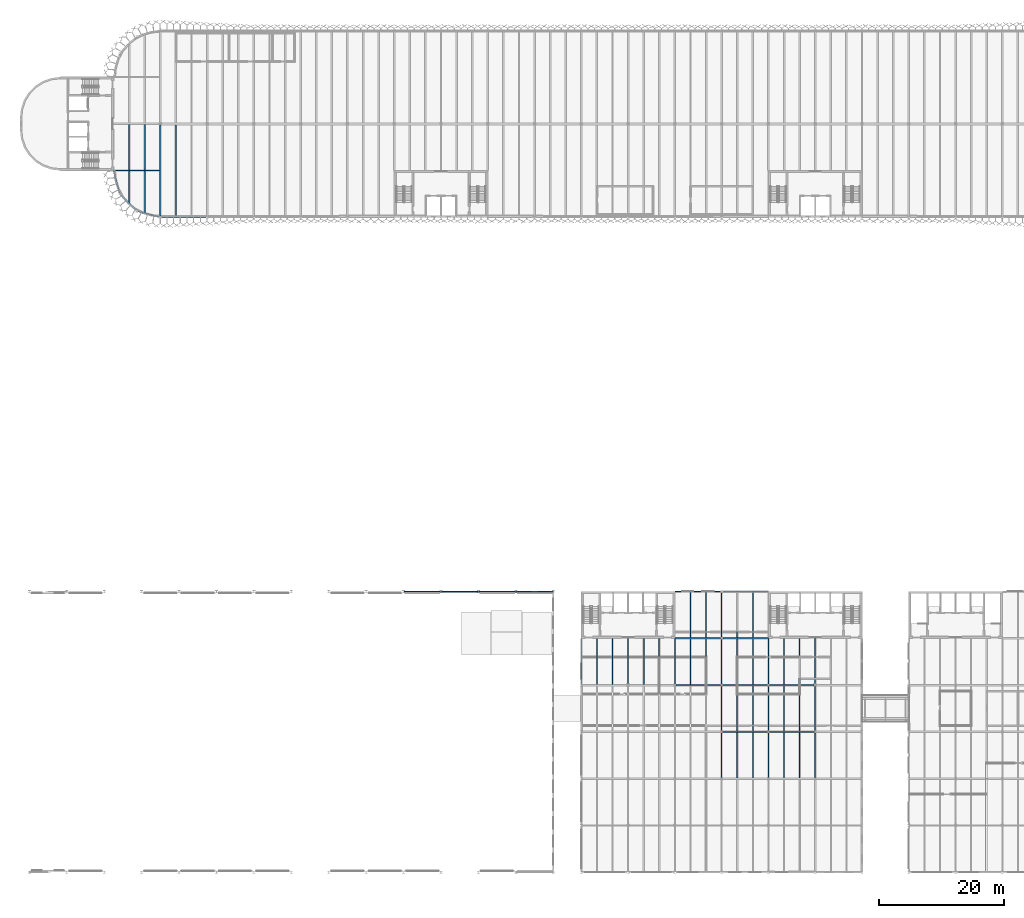
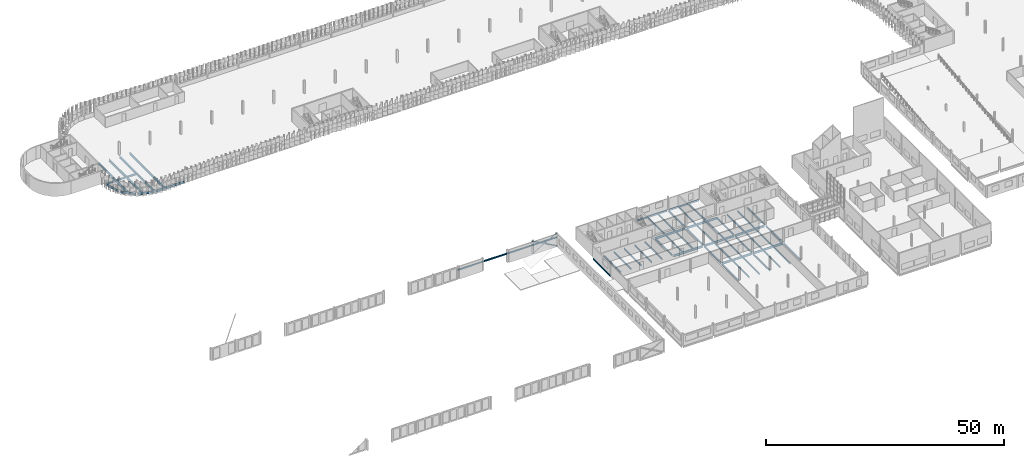
# One storey, part 30 of 198: 59 beams, 3 members.
"""IFC4 building model written with IfcOpenShell, lengths in metres."""

from ifc_helpers import new_model, si_unit, direction, frame, origin, origin_2d, place, context, subcontext, project, spatial, hollow_circle, i_section, extrude, material, material_profile, profile_set, type_object, element, save


model = new_model("IFC4")

# Units and contexts
model_context = context("Model", 3, precision=1e-05, world=origin(), true_north=direction((0.0, 1.0)))
body_context = subcontext(model_context, "Body", "Model", "MODEL_VIEW")
ifc_project = project(units=[si_unit("LENGTHUNIT", "METRE"), si_unit("AREAUNIT", "SQUARE_METRE"), si_unit("VOLUMEUNIT", "CUBIC_METRE"), si_unit("PLANEANGLEUNIT", "RADIAN"), si_unit("MASSUNIT", "GRAM", prefix="KILO")], contexts=[model_context])

# Site, building, storey
site_placement = place(None, origin())
site = spatial("IfcSite", under=ifc_project, at=site_placement, CompositionType="ELEMENT")
building_placement = place(site_placement, origin())
building = spatial("IfcBuilding", under=site, at=building_placement, Name="Parallax Yard Mobility Hub", CompositionType="ELEMENT")
storey_placement = place(building_placement, frame((0.0, 0.0, 6.60009765625)))
storey = spatial("IfcBuildingStorey", under=building, at=storey_placement, Name="L02", CompositionType="ELEMENT", Elevation=6.60009765625)

# Beams
ifc_material_1 = material(Name="Steel ASTM A992", Category="steel")
ifc_material_profile_1 = material_profile(ifc_material_1, i_section(OverallWidth=0.14794921875, OverallDepth=0.26611328125, WebThickness=0.007568359375, FlangeThickness=0.012939453125, at=origin_2d()), Name="W250x45")
ifc_profile_set_1 = profile_set([ifc_material_profile_1], Name="Steel ASTM A992")
beam_type_1 = type_object("IfcBeamType", Name="Lintel girder W250x45", PredefinedType="BEAM", material=ifc_profile_set_1)
for number, where, z_axis, x_axis, name in (
    (1, (69.0, 52.5, 2.23291015625), (1.0, 0.0, 0.0), (0.0, 1.0, 0.0), "Lintel girder north mezzanine edge bay 1"),
    (2, (75.0, 52.5, 2.23291015625), (1.0, 0.0, 0.0), (0.0, 1.0, 0.0), "Lintel girder north mezzanine edge bay 2"),
    (3, (81.0, 52.5, 2.23291015625), (1.0, 0.0, 0.0), (0.0, 1.0, 0.0), "Lintel girder north mezzanine edge bay 3"),
    (4, (87.0, 52.5, 2.23291015625), (1.0, 0.0, 0.0), (0.0, 1.0, 0.0), "Lintel girder north mezzanine edge bay 4"),
):
    element("IfcBeam", number, at=place(storey_placement, frame(where, z_axis=z_axis, x_axis=x_axis)), inside=storey, type_object=beam_type_1, Name=name, PredefinedType="BEAM", context=body_context, shape_type="SweptSolid", body=[
        extrude(i_section(OverallWidth=0.14794921875, OverallDepth=0.26611328125, WebThickness=0.007568359375, FlangeThickness=0.012939453125, at=origin_2d()), origin(), (0.0, 0.0, 1.0), 6.0),
    ])
ifc_material_profile_2 = material_profile(ifc_material_1, i_section(OverallWidth=0.177978515625, OverallDepth=0.406005859375, WebThickness=0.0078125, FlangeThickness=0.0126953125, FilletRadius=0.01025390625, at=origin_2d()), Name="W410x60")
ifc_profile_set_2 = profile_set([ifc_material_profile_2], Name="Steel ASTM A992")
beam_type_2 = type_object("IfcBeamType", Name="W410x60 secondary beam", PredefinedType="JOIST", material=ifc_profile_set_2)
for number, where, z_axis, x_axis, name in (
    (5, (100.0, 37.6044921875, -0.343017578125), (0.0, 1.0, 0.0), (-1.0, 0.0, 0.0), "Secondary beam B1 level L02, 2.5 m east of line 14 of mobility service centre and workshops, span 5"),
    (6, (107.5, 37.6044921875, -0.343017578125), (0.0, 1.0, 0.0), (-1.0, 0.0, 0.0), "Secondary beam B1 level L02, 2.5 m east of line 15 of mobility service centre and workshops, span 5"),
):
    element("IfcBeam", number, at=place(storey_placement, frame(where, z_axis=z_axis, x_axis=x_axis)), inside=storey, type_object=beam_type_2, Name=name, PredefinedType="JOIST", context=body_context, shape_type="SweptSolid", body=[
        extrude(i_section(OverallWidth=0.177978515625, OverallDepth=0.406005859375, WebThickness=0.0078125, FlangeThickness=0.0126953125, FilletRadius=0.01025390625, at=origin_2d()), origin(), (0.0, 0.0, 1.0), 7.3955078125),
    ])
beam_1_placement = place(storey_placement, frame((115.0, 37.6044921875, -0.343017578125), z_axis=(0.0, 1.0, 0.0), x_axis=(-1.0, 0.0, 0.0)))
element("IfcBeam", 7, at=beam_1_placement, inside=storey, type_object=beam_type_2, Name="Secondary beam B1 level L02, 2.5 m east of line 16 of mobility service centre and workshops, span 5", PredefinedType="JOIST", context=body_context, shape_type="SweptSolid", body=[
    extrude(i_section(OverallWidth=0.177978515625, OverallDepth=0.406005859375, WebThickness=0.0078125, FlangeThickness=0.0126953125, FilletRadius=0.01025390625, at=origin_2d()), origin(), (0.0, 0.0, 1.0), 7.291015625),
])
beam_2_placement = place(storey_placement, frame((115.0, 45.1044921875, -0.343017578125), z_axis=(0.0, 1.0, 0.0), x_axis=(-1.0, 0.0, 0.0)))
element("IfcBeam", 8, at=beam_2_placement, inside=storey, type_object=beam_type_2, Name="Secondary beam B1 level L02, 2.5 m east of line 16 of mobility service centre and workshops, span 6", PredefinedType="JOIST", context=body_context, shape_type="SweptSolid", body=[
    extrude(i_section(OverallWidth=0.177978515625, OverallDepth=0.406005859375, WebThickness=0.0078125, FlangeThickness=0.0126953125, FilletRadius=0.01025390625, at=origin_2d()), origin(), (0.0, 0.0, 1.0), 7.305908203125),
])
for number, where, z_axis, x_axis, name in (
    (9, (122.5, 22.6044921875, -0.343017578125), (0.0, 1.0, 0.0), (-1.0, 0.0, 0.0), "Secondary beam B1 level L02, 2.5 m east of line 17 of mobility service centre and workshops, span 3"),
    (10, (122.5, 30.1044921875, -0.343017578125), (0.0, 1.0, 0.0), (-1.0, 0.0, 0.0), "Secondary beam B1 level L02, 2.5 m east of line 17 of mobility service centre and workshops, span 4"),
    (11, (122.5, 37.6044921875, -0.343017578125), (0.0, 1.0, 0.0), (-1.0, 0.0, 0.0), "Secondary beam B1 level L02, 2.5 m east of line 17 of mobility service centre and workshops, span 5"),
):
    element("IfcBeam", number, at=place(storey_placement, frame(where, z_axis=z_axis, x_axis=x_axis)), inside=storey, type_object=beam_type_2, Name=name, PredefinedType="JOIST", context=body_context, shape_type="SweptSolid", body=[
        extrude(i_section(OverallWidth=0.177978515625, OverallDepth=0.406005859375, WebThickness=0.0078125, FlangeThickness=0.0126953125, FilletRadius=0.01025390625, at=origin_2d()), origin(), (0.0, 0.0, 1.0), 7.291015625),
    ])
beam_3_placement = place(storey_placement, frame((122.5, 45.1044921875, -0.343017578125), z_axis=(0.0, 1.0, 0.0), x_axis=(-1.0, 0.0, 0.0)))
element("IfcBeam", 12, at=beam_3_placement, inside=storey, type_object=beam_type_2, Name="Secondary beam B1 level L02, 2.5 m east of line 17 of mobility service centre and workshops, span 6", PredefinedType="JOIST", context=body_context, shape_type="SweptSolid", body=[
    extrude(i_section(OverallWidth=0.177978515625, OverallDepth=0.406005859375, WebThickness=0.0078125, FlangeThickness=0.0126953125, FilletRadius=0.01025390625, at=origin_2d()), origin(), (0.0, 0.0, 1.0), 7.305908203125),
])
for number, where, z_axis, x_axis, name in (
    (13, (130.0, 22.6044921875, -0.343017578125), (0.0, 1.0, 0.0), (-1.0, 0.0, 0.0), "Secondary beam B1 level L02, 2.5 m east of line 18 of mobility service centre and workshops, span 3"),
    (14, (130.0, 30.1044921875, -0.343017578125), (0.0, 1.0, 0.0), (-1.0, 0.0, 0.0), "Secondary beam B1 level L02, 2.5 m east of line 18 of mobility service centre and workshops, span 4"),
):
    element("IfcBeam", number, at=place(storey_placement, frame(where, z_axis=z_axis, x_axis=x_axis)), inside=storey, type_object=beam_type_2, Name=name, PredefinedType="JOIST", context=body_context, shape_type="SweptSolid", body=[
        extrude(i_section(OverallWidth=0.177978515625, OverallDepth=0.406005859375, WebThickness=0.0078125, FlangeThickness=0.0126953125, FilletRadius=0.01025390625, at=origin_2d()), origin(), (0.0, 0.0, 1.0), 7.291015625),
    ])
for number, where, z_axis, x_axis, name in (
    (15, (130.0, 37.6044921875, -0.343017578125), (0.0, 1.0, 0.0), (-1.0, 0.0, 0.0), "Secondary beam B1 level L02, 2.5 m east of line 18 of mobility service centre and workshops, span 5"),
    (16, (102.5, 37.6044921875, -0.343017578125), (0.0, 1.0, 0.0), (-1.0, 0.0, 0.0), "Secondary beam B1 level L02, 5 m east of line 14 of mobility service centre and workshops, span 5"),
    (17, (110.0, 37.6044921875, -0.343017578125), (0.0, 1.0, 0.0), (-1.0, 0.0, 0.0), "Secondary beam B1 level L02, 5 m east of line 15 of mobility service centre and workshops, span 5"),
):
    element("IfcBeam", number, at=place(storey_placement, frame(where, z_axis=z_axis, x_axis=x_axis)), inside=storey, type_object=beam_type_2, Name=name, PredefinedType="JOIST", context=body_context, shape_type="SweptSolid", body=[
        extrude(i_section(OverallWidth=0.177978515625, OverallDepth=0.406005859375, WebThickness=0.0078125, FlangeThickness=0.0126953125, FilletRadius=0.01025390625, at=origin_2d()), origin(), (0.0, 0.0, 1.0), 7.3955078125),
    ])
beam_4_placement = place(storey_placement, frame((117.5, 37.6044921875, -0.343017578125), z_axis=(0.0, 1.0, 0.0), x_axis=(-1.0, 0.0, 0.0)))
element("IfcBeam", 18, at=beam_4_placement, inside=storey, type_object=beam_type_2, Name="Secondary beam B1 level L02, 5 m east of line 16 of mobility service centre and workshops, span 5", PredefinedType="JOIST", context=body_context, shape_type="SweptSolid", body=[
    extrude(i_section(OverallWidth=0.177978515625, OverallDepth=0.406005859375, WebThickness=0.0078125, FlangeThickness=0.0126953125, FilletRadius=0.01025390625, at=origin_2d()), origin(), (0.0, 0.0, 1.0), 7.291015625),
])
beam_5_placement = place(storey_placement, frame((117.5, 45.1044921875, -0.343017578125), z_axis=(0.0, 1.0, 0.0), x_axis=(-1.0, 0.0, 0.0)))
element("IfcBeam", 19, at=beam_5_placement, inside=storey, type_object=beam_type_2, Name="Secondary beam B1 level L02, 5 m east of line 16 of mobility service centre and workshops, span 6", PredefinedType="JOIST", context=body_context, shape_type="SweptSolid", body=[
    extrude(i_section(OverallWidth=0.177978515625, OverallDepth=0.406005859375, WebThickness=0.0078125, FlangeThickness=0.0126953125, FilletRadius=0.01025390625, at=origin_2d()), origin(), (0.0, 0.0, 1.0), 7.305908203125),
])
for number, where, z_axis, x_axis, name in (
    (20, (125.0, 22.6044921875, -0.343017578125), (0.0, 1.0, 0.0), (-1.0, 0.0, 0.0), "Secondary beam B1 level L02, 5 m east of line 17 of mobility service centre and workshops, span 3"),
    (21, (125.0, 30.1044921875, -0.343017578125), (0.0, 1.0, 0.0), (-1.0, 0.0, 0.0), "Secondary beam B1 level L02, 5 m east of line 17 of mobility service centre and workshops, span 4"),
    (22, (125.0, 37.6044921875, -0.343017578125), (0.0, 1.0, 0.0), (-1.0, 0.0, 0.0), "Secondary beam B1 level L02, 5 m east of line 17 of mobility service centre and workshops, span 5"),
):
    element("IfcBeam", number, at=place(storey_placement, frame(where, z_axis=z_axis, x_axis=x_axis)), inside=storey, type_object=beam_type_2, Name=name, PredefinedType="JOIST", context=body_context, shape_type="SweptSolid", body=[
        extrude(i_section(OverallWidth=0.177978515625, OverallDepth=0.406005859375, WebThickness=0.0078125, FlangeThickness=0.0126953125, FilletRadius=0.01025390625, at=origin_2d()), origin(), (0.0, 0.0, 1.0), 7.291015625),
    ])
beam_6_placement = place(storey_placement, frame((125.0, 45.1044921875, -0.343017578125), z_axis=(0.0, 1.0, 0.0), x_axis=(-1.0, 0.0, 0.0)))
element("IfcBeam", 23, at=beam_6_placement, inside=storey, type_object=beam_type_2, Name="Secondary beam B1 level L02, 5 m east of line 17 of mobility service centre and workshops, span 6", PredefinedType="JOIST", context=body_context, shape_type="SweptSolid", body=[
    extrude(i_section(OverallWidth=0.177978515625, OverallDepth=0.406005859375, WebThickness=0.0078125, FlangeThickness=0.0126953125, FilletRadius=0.01025390625, at=origin_2d()), origin(), (0.0, 0.0, 1.0), 7.305908203125),
])
for number, where, z_axis, x_axis, name in (
    (24, (132.5, 22.6044921875, -0.343017578125), (0.0, 1.0, 0.0), (-1.0, 0.0, 0.0), "Secondary beam B1 level L02, 5 m east of line 18 of mobility service centre and workshops, span 3"),
    (25, (132.5, 30.1044921875, -0.343017578125), (0.0, 1.0, 0.0), (-1.0, 0.0, 0.0), "Secondary beam B1 level L02, 5 m east of line 18 of mobility service centre and workshops, span 4"),
):
    element("IfcBeam", number, at=place(storey_placement, frame(where, z_axis=z_axis, x_axis=x_axis)), inside=storey, type_object=beam_type_2, Name=name, PredefinedType="JOIST", context=body_context, shape_type="SweptSolid", body=[
        extrude(i_section(OverallWidth=0.177978515625, OverallDepth=0.406005859375, WebThickness=0.0078125, FlangeThickness=0.0126953125, FilletRadius=0.01025390625, at=origin_2d()), origin(), (0.0, 0.0, 1.0), 7.291015625),
    ])
beam_7_placement = place(storey_placement, frame((132.5, 37.6044921875, -0.343017578125), z_axis=(0.0, 1.0, 0.0), x_axis=(-1.0, 0.0, 0.0)))
element("IfcBeam", 26, at=beam_7_placement, inside=storey, type_object=beam_type_2, Name="Secondary beam B1 level L02, 5 m east of line 18 of mobility service centre and workshops, span 5", PredefinedType="JOIST", context=body_context, shape_type="SweptSolid", body=[
    extrude(i_section(OverallWidth=0.177978515625, OverallDepth=0.406005859375, WebThickness=0.0078125, FlangeThickness=0.0126953125, FilletRadius=0.01025390625, at=origin_2d()), origin(), (0.0, 0.0, 1.0), 7.3955078125),
])
ifc_material_profile_3 = material_profile(ifc_material_1, i_section(OverallWidth=0.178955078125, OverallDepth=0.408935546875, WebThickness=0.0087890625, FlangeThickness=0.014404296875, FilletRadius=0.01025390625, at=origin_2d()), Name="W410x67")
ifc_profile_set_3 = profile_set([ifc_material_profile_3], Name="Steel ASTM A992")
beam_type_3 = type_object("IfcBeamType", Name="W410x67 edge beam", PredefinedType="SPANDREL", material=ifc_profile_set_3)
beam_8_placement = place(storey_placement, frame((97.5, 37.658935546875, -0.344482421875), z_axis=(0.0, 1.0, 0.0), x_axis=(-1.0, 0.0, 0.0)))
element("IfcBeam", 27, at=beam_8_placement, inside=storey, type_object=beam_type_3, Name="Edge beam SB3 level L02, line 14 of mobility service centre and workshops, span 5", PredefinedType="SPANDREL", context=body_context, shape_type="SweptSolid", body=[
    extrude(i_section(OverallWidth=0.178955078125, OverallDepth=0.408935546875, WebThickness=0.0087890625, FlangeThickness=0.014404296875, FilletRadius=0.01025390625, at=origin_2d()), origin(), (0.0, 0.0, 1.0), 7.341064453125),
])
for number, where, z_axis, x_axis, name in (
    (28, (112.5, 52.5, -0.344482421875), (1.0, 0.0, 0.0), (0.0, 1.0, 0.0), "Edge beam SB3 level L02, line H of mobility service centre and workshops, span 1"),
    (29, (120.1865234375, 52.5, -0.344482421875), (1.0, 0.0, 0.0), (0.0, 1.0, 0.0), "Edge beam SB3 level L02, line H of mobility service centre and workshops, span 2"),
):
    element("IfcBeam", number, at=place(storey_placement, frame(where, z_axis=z_axis, x_axis=x_axis)), inside=storey, type_object=beam_type_3, Name=name, PredefinedType="SPANDREL", context=body_context, shape_type="SweptSolid", body=[
        extrude(i_section(OverallWidth=0.178955078125, OverallDepth=0.408935546875, WebThickness=0.0087890625, FlangeThickness=0.014404296875, FilletRadius=0.01025390625, at=origin_2d()), origin(), (0.0, 0.0, 1.0), 7.3134765625),
    ])
ifc_material_profile_4 = material_profile(ifc_material_1, i_section(OverallWidth=0.178955078125, OverallDepth=0.408935546875, WebThickness=0.0087890625, FlangeThickness=0.014404296875, FilletRadius=0.01025390625, at=origin_2d()), Name="W410x67")
ifc_profile_set_4 = profile_set([ifc_material_profile_4], Name="Steel ASTM A992")
beam_type_4 = type_object("IfcBeamType", Name="W410x67 girder", PredefinedType="BEAM", material=ifc_profile_set_4)
beam_9_placement = place(storey_placement, frame((105.0, 37.6904296875, -0.344482421875), z_axis=(0.0, 1.0, 0.0), x_axis=(-1.0, 0.0, 0.0)))
element("IfcBeam", 30, at=beam_9_placement, inside=storey, type_object=beam_type_4, Name="Girder G1 level L02, line 15 of mobility service centre and workshops, span 5", PredefinedType="BEAM", context=body_context, shape_type="SweptSolid", body=[
    extrude(i_section(OverallWidth=0.178955078125, OverallDepth=0.408935546875, WebThickness=0.0087890625, FlangeThickness=0.014404296875, FilletRadius=0.01025390625, at=origin_2d()), origin(), (0.0, 0.0, 1.0), 7.3095703125),
])
beam_10_placement = place(storey_placement, frame((112.5, 37.6640625, -0.344482421875), z_axis=(0.0, 1.0, 0.0), x_axis=(-1.0, 0.0, 0.0)))
element("IfcBeam", 31, at=beam_10_placement, inside=storey, type_object=beam_type_4, Name="Girder G1 level L02, line 16 of mobility service centre and workshops, span 5", PredefinedType="BEAM", context=body_context, shape_type="SweptSolid", body=[
    extrude(i_section(OverallWidth=0.178955078125, OverallDepth=0.408935546875, WebThickness=0.0087890625, FlangeThickness=0.014404296875, FilletRadius=0.01025390625, at=origin_2d()), origin(), (0.0, 0.0, 1.0), 7.3359375),
])
for number, where, z_axis, x_axis, name in (
    (32, (120.0, 22.656005859375, -0.344482421875), (0.0, 1.0, 0.0), (-1.0, 0.0, 0.0), "Girder G1 level L02, line 17 of mobility service centre and workshops, span 3"),
    (33, (120.0, 30.156005859375, -0.344482421875), (0.0, 1.0, 0.0), (-1.0, 0.0, 0.0), "Girder G1 level L02, line 17 of mobility service centre and workshops, span 4"),
):
    element("IfcBeam", number, at=place(storey_placement, frame(where, z_axis=z_axis, x_axis=x_axis)), inside=storey, type_object=beam_type_4, Name=name, PredefinedType="BEAM", context=body_context, shape_type="SweptSolid", body=[
        extrude(i_section(OverallWidth=0.178955078125, OverallDepth=0.408935546875, WebThickness=0.0087890625, FlangeThickness=0.014404296875, FilletRadius=0.01025390625, at=origin_2d()), origin(), (0.0, 0.0, 1.0), 7.18798828125),
    ])
beam_11_placement = place(storey_placement, frame((120.0, 37.656005859375, -0.344482421875), z_axis=(0.0, 1.0, 0.0), x_axis=(-1.0, 0.0, 0.0)))
element("IfcBeam", 34, at=beam_11_placement, inside=storey, type_object=beam_type_4, Name="Girder G1 level L02, line 17 of mobility service centre and workshops, span 5", PredefinedType="BEAM", context=body_context, shape_type="SweptSolid", body=[
    extrude(i_section(OverallWidth=0.178955078125, OverallDepth=0.408935546875, WebThickness=0.0087890625, FlangeThickness=0.014404296875, FilletRadius=0.01025390625, at=origin_2d()), origin(), (0.0, 0.0, 1.0), 7.156005859375),
])
beam_12_placement = place(storey_placement, frame((120.0, 45.18798828125, -0.344482421875), z_axis=(0.0, 1.0, 0.0), x_axis=(-1.0, 0.0, 0.0)))
element("IfcBeam", 35, at=beam_12_placement, inside=storey, type_object=beam_type_4, Name="Girder G1 level L02, line 17 of mobility service centre and workshops, span 6", PredefinedType="BEAM", context=body_context, shape_type="SweptSolid", body=[
    extrude(i_section(OverallWidth=0.178955078125, OverallDepth=0.408935546875, WebThickness=0.0087890625, FlangeThickness=0.014404296875, FilletRadius=0.01025390625, at=origin_2d()), origin(), (0.0, 0.0, 1.0), 7.1279296875),
])
beam_13_placement = place(storey_placement, frame((127.5, 22.656005859375, -0.344482421875), z_axis=(0.0, 1.0, 0.0), x_axis=(-1.0, 0.0, 0.0)))
element("IfcBeam", 36, at=beam_13_placement, inside=storey, type_object=beam_type_4, Name="Girder G1 level L02, line 18 of mobility service centre and workshops, span 3", PredefinedType="BEAM", context=body_context, shape_type="SweptSolid", body=[
    extrude(i_section(OverallWidth=0.178955078125, OverallDepth=0.408935546875, WebThickness=0.0087890625, FlangeThickness=0.014404296875, FilletRadius=0.01025390625, at=origin_2d()), origin(), (0.0, 0.0, 1.0), 7.18798828125),
])
beam_14_placement = place(storey_placement, frame((127.5, 30.156005859375, -0.344482421875), z_axis=(0.0, 1.0, 0.0), x_axis=(-1.0, 0.0, 0.0)))
element("IfcBeam", 37, at=beam_14_placement, inside=storey, type_object=beam_type_4, Name="Girder G1 level L02, line 18 of mobility service centre and workshops, span 4", PredefinedType="BEAM", context=body_context, shape_type="SweptSolid", body=[
    extrude(i_section(OverallWidth=0.178955078125, OverallDepth=0.408935546875, WebThickness=0.0087890625, FlangeThickness=0.014404296875, FilletRadius=0.01025390625, at=origin_2d()), origin(), (0.0, 0.0, 1.0), 7.179931640625),
])
beam_15_placement = place(storey_placement, frame((127.5, 37.6640625, -0.344482421875), z_axis=(0.0, 1.0, 0.0), x_axis=(-1.0, 0.0, 0.0)))
element("IfcBeam", 38, at=beam_15_placement, inside=storey, type_object=beam_type_4, Name="Girder G1 level L02, line 18 of mobility service centre and workshops, span 5", PredefinedType="BEAM", context=body_context, shape_type="SweptSolid", body=[
    extrude(i_section(OverallWidth=0.178955078125, OverallDepth=0.408935546875, WebThickness=0.0087890625, FlangeThickness=0.014404296875, FilletRadius=0.01025390625, at=origin_2d()), origin(), (0.0, 0.0, 1.0), 7.3359375),
])
beam_16_placement = place(storey_placement, frame((135.0, 22.656005859375, -0.344482421875), z_axis=(0.0, 1.0, 0.0), x_axis=(-1.0, 0.0, 0.0)))
element("IfcBeam", 39, at=beam_16_placement, inside=storey, type_object=beam_type_4, Name="Girder G1 level L02, line 19 of mobility service centre and workshops, span 3", PredefinedType="BEAM", context=body_context, shape_type="SweptSolid", body=[
    extrude(i_section(OverallWidth=0.178955078125, OverallDepth=0.408935546875, WebThickness=0.0087890625, FlangeThickness=0.014404296875, FilletRadius=0.01025390625, at=origin_2d()), origin(), (0.0, 0.0, 1.0), 7.18798828125),
])
beam_17_placement = place(storey_placement, frame((135.0, 30.156005859375, -0.344482421875), z_axis=(0.0, 1.0, 0.0), x_axis=(-1.0, 0.0, 0.0)))
element("IfcBeam", 40, at=beam_17_placement, inside=storey, type_object=beam_type_4, Name="Girder G1 level L02, line 19 of mobility service centre and workshops, span 4", PredefinedType="BEAM", context=body_context, shape_type="SweptSolid", body=[
    extrude(i_section(OverallWidth=0.178955078125, OverallDepth=0.408935546875, WebThickness=0.0087890625, FlangeThickness=0.014404296875, FilletRadius=0.01025390625, at=origin_2d()), origin(), (0.0, 0.0, 1.0), 7.153564453125),
])
beam_18_placement = place(storey_placement, frame((135.0, 37.6904296875, -0.344482421875), z_axis=(0.0, 1.0, 0.0), x_axis=(-1.0, 0.0, 0.0)))
element("IfcBeam", 41, at=beam_18_placement, inside=storey, type_object=beam_type_4, Name="Girder G1 level L02, line 19 of mobility service centre and workshops, span 5", PredefinedType="BEAM", context=body_context, shape_type="SweptSolid", body=[
    extrude(i_section(OverallWidth=0.178955078125, OverallDepth=0.408935546875, WebThickness=0.0087890625, FlangeThickness=0.014404296875, FilletRadius=0.01025390625, at=origin_2d()), origin(), (0.0, 0.0, 1.0), 7.3095703125),
])
ifc_material_profile_5 = material_profile(ifc_material_1, i_section(OverallWidth=0.19091796875, OverallDepth=0.45703125, WebThickness=0.009033203125, FlangeThickness=0.014404296875, FilletRadius=0.01025390625, at=origin_2d()), Name="W460x74")
ifc_profile_set_5 = profile_set([ifc_material_profile_5], Name="Steel ASTM A992")
beam_type_5 = type_object("IfcBeamType", Name="W460x74 longitudinal beam", PredefinedType="BEAM", material=ifc_profile_set_5)
beam_19_placement = place(storey_placement, frame((22.608154296875, 120.0, -0.36865234375), z_axis=(1.0, 0.0, 0.0), x_axis=(0.0, 1.0, 0.0)))
element("IfcBeam", 42, at=beam_19_placement, inside=storey, type_object=beam_type_5, Name="Longitudinal beam SB4 level L02, line S of ramped parking decks, span 1", PredefinedType="BEAM", context=body_context, shape_type="SweptSolid", body=[
    extrude(i_section(OverallWidth=0.19091796875, OverallDepth=0.45703125, WebThickness=0.009033203125, FlangeThickness=0.014404296875, FilletRadius=0.01025390625, at=origin_2d()), origin(), (0.0, 0.0, 1.0), 7.27734375),
])
ifc_material_profile_6 = material_profile(ifc_material_1, i_section(OverallWidth=0.208984375, OverallDepth=0.532958984375, WebThickness=0.01025390625, FlangeThickness=0.015625, FilletRadius=0.0126953125, at=origin_2d()), Name="W530x92")
ifc_profile_set_6 = profile_set([ifc_material_profile_6], Name="Steel ASTM A992")
beam_type_6 = type_object("IfcBeamType", Name="W530x92 edge beam", PredefinedType="SPANDREL", material=ifc_profile_set_6)
beam_20_placement = place(storey_placement, frame((30.18408203125, 112.5, -0.406494140625), z_axis=(1.0, 0.0, 0.0), x_axis=(0.0, 1.0, 0.0)))
element("IfcBeam", 43, at=beam_20_placement, inside=storey, type_object=beam_type_6, Name="Edge beam SB5 level L02, line R of ramped parking decks, span 1", PredefinedType="SPANDREL", context=body_context, shape_type="SweptSolid", body=[
    extrude(i_section(OverallWidth=0.208984375, OverallDepth=0.532958984375, WebThickness=0.01025390625, FlangeThickness=0.015625, FilletRadius=0.0126953125, at=origin_2d()), origin(), (0.0, 0.0, 1.0), 7.163330078125),
])
beam_21_placement = place(storey_placement, frame((22.5, 120.0, -0.406494140625), z_axis=(0.2588092838, -0.965928441769, 0.0), x_axis=(0.965928441769, 0.2588092838, 0.0)))
element("IfcBeam", 44, at=beam_21_placement, inside=storey, type_object=beam_type_6, Name="Edge beam SB5 level L02, the west end of ramped parking decks, span 1", PredefinedType="SPANDREL", context=body_context, shape_type="SweptSolid", body=[
    extrude(i_section(OverallWidth=0.208984375, OverallDepth=0.532958984375, WebThickness=0.01025390625, FlangeThickness=0.015625, FilletRadius=0.0126953125, at=origin_2d()), origin(), (0.0, 0.0, 1.0), 3.723388671875),
])
beam_22_placement = place(storey_placement, frame((23.6572265625, 116.097412109375, -0.406494140625), z_axis=(0.707106781187, -0.707106781187, 0.0), x_axis=(0.707106781187, 0.707106781187, 0.0)))
element("IfcBeam", 45, at=beam_22_placement, inside=storey, type_object=beam_type_6, Name="Edge beam SB5 level L02, the west end of ramped parking decks, span 3", PredefinedType="SPANDREL", context=body_context, shape_type="SweptSolid", body=[
    extrude(i_section(OverallWidth=0.208984375, OverallDepth=0.532958984375, WebThickness=0.01025390625, FlangeThickness=0.015625, FilletRadius=0.0126953125, at=origin_2d()), origin(), (0.0, 0.0, 1.0), 3.450927734375),
])
beam_23_placement = place(storey_placement, frame((26.402587890625, 113.4638671875, -0.406494140625), z_axis=(0.965929240213, -0.258806303829, 0.0), x_axis=(0.258806303829, 0.965929240213, 0.0)))
element("IfcBeam", 46, at=beam_23_placement, inside=storey, type_object=beam_type_6, Name="Edge beam SB5 level L02, the west end of ramped parking decks, span 5", PredefinedType="SPANDREL", context=body_context, shape_type="SweptSolid", body=[
    extrude(i_section(OverallWidth=0.208984375, OverallDepth=0.532958984375, WebThickness=0.01025390625, FlangeThickness=0.015625, FilletRadius=0.0126953125, at=origin_2d()), origin(), (0.0, 0.0, 1.0), 3.53369140625),
])
ifc_material_profile_7 = material_profile(ifc_material_1, i_section(OverallWidth=0.208984375, OverallDepth=0.532958984375, WebThickness=0.01025390625, FlangeThickness=0.015625, FilletRadius=0.0126953125, at=origin_2d()), Name="W530x92")
ifc_profile_set_7 = profile_set([ifc_material_profile_7], Name="Steel ASTM A992")
beam_type_7 = type_object("IfcBeamType", Name="W530x92 longitudinal beam", PredefinedType="BEAM", material=ifc_profile_set_7)
for number, where, z_axis, x_axis, name in (
    (47, (120.152587890625, 30.0, -0.406494140625), (1.0, 0.0, 0.0), (0.0, 1.0, 0.0), "Longitudinal beam SB6 level L02, line E of mobility service centre and workshops, span 4"),
    (48, (127.652587890625, 30.0, -0.406494140625), (1.0, 0.0, 0.0), (0.0, 1.0, 0.0), "Longitudinal beam SB6 level L02, line E of mobility service centre and workshops, span 5"),
):
    element("IfcBeam", number, at=place(storey_placement, frame(where, z_axis=z_axis, x_axis=x_axis)), inside=storey, type_object=beam_type_7, Name=name, PredefinedType="BEAM", context=body_context, shape_type="SweptSolid", body=[
        extrude(i_section(OverallWidth=0.208984375, OverallDepth=0.532958984375, WebThickness=0.01025390625, FlangeThickness=0.015625, FilletRadius=0.0126953125, at=origin_2d()), origin(), (0.0, 0.0, 1.0), 7.19482421875),
    ])
for number, where, z_axis, x_axis, name in (
    (49, (112.655029296875, 37.5, -0.406494140625), (1.0, 0.0, 0.0), (0.0, 1.0, 0.0), "Longitudinal beam SB6 level L02, line F of mobility service centre and workshops, span 3"),
    (50, (120.152587890625, 37.5, -0.406494140625), (1.0, 0.0, 0.0), (0.0, 1.0, 0.0), "Longitudinal beam SB6 level L02, line F of mobility service centre and workshops, span 4"),
):
    element("IfcBeam", number, at=place(storey_placement, frame(where, z_axis=z_axis, x_axis=x_axis)), inside=storey, type_object=beam_type_7, Name=name, PredefinedType="BEAM", context=body_context, shape_type="SweptSolid", body=[
        extrude(i_section(OverallWidth=0.208984375, OverallDepth=0.532958984375, WebThickness=0.01025390625, FlangeThickness=0.015625, FilletRadius=0.0126953125, at=origin_2d()), origin(), (0.0, 0.0, 1.0), 7.1923828125),
    ])
beam_24_placement = place(storey_placement, frame((127.655029296875, 37.5, -0.406494140625), z_axis=(1.0, 0.0, 0.0), x_axis=(0.0, 1.0, 0.0)))
element("IfcBeam", 51, at=beam_24_placement, inside=storey, type_object=beam_type_7, Name="Longitudinal beam SB6 level L02, line F of mobility service centre and workshops, span 5", PredefinedType="BEAM", context=body_context, shape_type="SweptSolid", body=[
    extrude(i_section(OverallWidth=0.208984375, OverallDepth=0.532958984375, WebThickness=0.01025390625, FlangeThickness=0.015625, FilletRadius=0.0126953125, at=origin_2d()), origin(), (0.0, 0.0, 1.0), 7.14697265625),
])
for number, where, z_axis, x_axis, name in (
    (52, (112.5, 45.0, -0.406494140625), (1.0, 0.0, 0.0), (0.0, 1.0, 0.0), "Longitudinal beam SB6 level L02, line G of mobility service centre and workshops, span 1"),
    (53, (120.197021484375, 45.0, -0.406494140625), (1.0, 0.0, 0.0), (0.0, 1.0, 0.0), "Longitudinal beam SB6 level L02, line G of mobility service centre and workshops, span 2"),
):
    element("IfcBeam", number, at=place(storey_placement, frame(where, z_axis=z_axis, x_axis=x_axis)), inside=storey, type_object=beam_type_7, Name=name, PredefinedType="BEAM", context=body_context, shape_type="SweptSolid", body=[
        extrude(i_section(OverallWidth=0.208984375, OverallDepth=0.532958984375, WebThickness=0.01025390625, FlangeThickness=0.015625, FilletRadius=0.0126953125, at=origin_2d()), origin(), (0.0, 0.0, 1.0), 7.302978515625),
    ])
ifc_material_profile_8 = material_profile(ifc_material_1, i_section(OverallWidth=0.22802734375, OverallDepth=0.60205078125, WebThickness=0.010498046875, FlangeThickness=0.014892578125, FilletRadius=0.0126953125, at=origin_2d()), Name="W610x101")
ifc_profile_set_8 = profile_set([ifc_material_profile_8], Name="Steel ASTM A992")
beam_type_8 = type_object("IfcBeamType", Name="W610x101 secondary beam", PredefinedType="JOIST", material=ifc_profile_set_8)
beam_25_placement = place(storey_placement, frame((25.0, 114.902587890625, -0.441162109375), z_axis=(0.0, 1.0, 0.0), x_axis=(-1.0, 0.0, 0.0)))
element("IfcBeam", 54, at=beam_25_placement, inside=storey, type_object=beam_type_8, Name="Secondary beam B3 level L02, 2.5 m east of line 4 of ramped parking decks, span 1", PredefinedType="JOIST", context=body_context, shape_type="SweptSolid", body=[
    extrude(i_section(OverallWidth=0.22802734375, OverallDepth=0.60205078125, WebThickness=0.010498046875, FlangeThickness=0.014892578125, FilletRadius=0.0126953125, at=origin_2d()), origin(), (0.0, 0.0, 1.0), 5.001953125),
])
beam_26_placement = place(storey_placement, frame((25.0, 120.095458984375, -0.441162109375), z_axis=(0.0, 1.0, 0.0), x_axis=(-1.0, 0.0, 0.0)))
element("IfcBeam", 55, at=beam_26_placement, inside=storey, type_object=beam_type_8, Name="Secondary beam B3 level L02, 2.5 m east of line 4 of ramped parking decks, span 2", PredefinedType="JOIST", context=body_context, shape_type="SweptSolid", body=[
    extrude(i_section(OverallWidth=0.22802734375, OverallDepth=0.60205078125, WebThickness=0.010498046875, FlangeThickness=0.014892578125, FilletRadius=0.0126953125, at=origin_2d()), origin(), (0.0, 0.0, 1.0), 7.30908203125),
])
beam_27_placement = place(storey_placement, frame((32.5, 112.6044921875, -0.441162109375), z_axis=(0.0, 1.0, 0.0), x_axis=(-1.0, 0.0, 0.0)))
element("IfcBeam", 56, at=beam_27_placement, inside=storey, type_object=beam_type_8, Name="Secondary beam B3 level L02, 2.5 m east of line 5 of ramped parking decks, span 1", PredefinedType="JOIST", context=body_context, shape_type="SweptSolid", body=[
    extrude(i_section(OverallWidth=0.22802734375, OverallDepth=0.60205078125, WebThickness=0.010498046875, FlangeThickness=0.014892578125, FilletRadius=0.0126953125, at=origin_2d()), origin(), (0.0, 0.0, 1.0), 14.73291015625),
])
beam_28_placement = place(storey_placement, frame((27.5, 113.278076171875, -0.441162109375), z_axis=(0.0, 1.0, 0.0), x_axis=(-1.0, 0.0, 0.0)))
element("IfcBeam", 57, at=beam_28_placement, inside=storey, type_object=beam_type_8, Name="Secondary beam B3 level L02, 5 m east of line 4 of ramped parking decks, span 1", PredefinedType="JOIST", context=body_context, shape_type="SweptSolid", body=[
    extrude(i_section(OverallWidth=0.22802734375, OverallDepth=0.60205078125, WebThickness=0.010498046875, FlangeThickness=0.014892578125, FilletRadius=0.0126953125, at=origin_2d()), origin(), (0.0, 0.0, 1.0), 6.62646484375),
])
beam_29_placement = place(storey_placement, frame((27.5, 120.095458984375, -0.441162109375), z_axis=(0.0, 1.0, 0.0), x_axis=(-1.0, 0.0, 0.0)))
element("IfcBeam", 58, at=beam_29_placement, inside=storey, type_object=beam_type_8, Name="Secondary beam B3 level L02, 5 m east of line 4 of ramped parking decks, span 2", PredefinedType="JOIST", context=body_context, shape_type="SweptSolid", body=[
    extrude(i_section(OverallWidth=0.22802734375, OverallDepth=0.60205078125, WebThickness=0.010498046875, FlangeThickness=0.014892578125, FilletRadius=0.0126953125, at=origin_2d()), origin(), (0.0, 0.0, 1.0), 7.30908203125),
])
ifc_material_profile_9 = material_profile(ifc_material_1, i_section(OverallWidth=0.22900390625, OverallDepth=0.612060546875, WebThickness=0.011962890625, FlangeThickness=0.01953125, FilletRadius=0.0126953125, at=origin_2d()), Name="W610x125")
ifc_profile_set_9 = profile_set([ifc_material_profile_9], Name="Steel ASTM A992")
beam_type_9 = type_object("IfcBeamType", Name="W610x125 girder", PredefinedType="BEAM", material=ifc_profile_set_9)
beam_30_placement = place(storey_placement, frame((30.0, 112.677978515625, -0.446044921875), z_axis=(0.0, 1.0, 0.0), x_axis=(-1.0, 0.0, 0.0)))
element("IfcBeam", 59, at=beam_30_placement, inside=storey, type_object=beam_type_9, Name="Girder G3 level L02, line 5 of ramped parking decks, span 1", PredefinedType="BEAM", context=body_context, shape_type="SweptSolid", body=[
    extrude(i_section(OverallWidth=0.22900390625, OverallDepth=0.612060546875, WebThickness=0.011962890625, FlangeThickness=0.01953125, FilletRadius=0.0126953125, at=origin_2d()), origin(), (0.0, 0.0, 1.0), 14.631591796875),
])

# Members
ifc_material_2 = material(Name="Steel ASTM A500 Gr C", Category="steel")
ifc_material_profile_10 = material_profile(ifc_material_2, hollow_circle(Radius=0.0888671875, WallThickness=0.0078125, at=origin_2d()), Name="HSS177.8x7.9")
ifc_profile_set_10 = profile_set([ifc_material_profile_10], Name="Steel ASTM A500 Gr C")
member_type = type_object("IfcMemberType", Name="Wall brace HSS177.8x7.9", PredefinedType="BRACE", material=ifc_profile_set_10)
member_placement = place(storey_placement, frame((93.0, 52.5, 0.0), z_axis=(-0.876227952683, 0.0, 0.48189685093), x_axis=(0.0, -1.0, 0.0)))
element("IfcMember", 60, at=member_placement, inside=storey, type_object=member_type, Name="X brace east end bay north face level 2 2", PredefinedType="BRACE", context=body_context, shape_type="SweptSolid", body=[
    extrude(hollow_circle(Radius=0.0888671875, WallThickness=0.0078125, at=origin_2d()), origin(), (0.0, 0.0, 1.0), 6.847412109375),
])
for number, where, z_axis, x_axis, name in (
    (61, (87.0, 52.5, 0.0), (0.876220551786, 0.0, 0.481910307659), (0.0, 1.0, 0.0), "X brace east end bay north face level 2 1 (half 1)"),
    (62, (90.081787109375, 52.5, 1.69482421875), (0.876220551786, 0.0, 0.481910307659), (0.0, 1.0, 0.0), "X brace east end bay north face level 2 1 (half 2)"),
):
    element("IfcMember", number, at=place(storey_placement, frame(where, z_axis=z_axis, x_axis=x_axis)), inside=storey, type_object=member_type, Name=name, PredefinedType="BRACE", context=body_context, shape_type="SweptSolid", body=[
        extrude(hollow_circle(Radius=0.0888671875, WallThickness=0.0078125, at=origin_2d()), origin(), (0.0, 0.0, 1.0), 3.33056640625),
    ])

save(model, "model.ifc")
